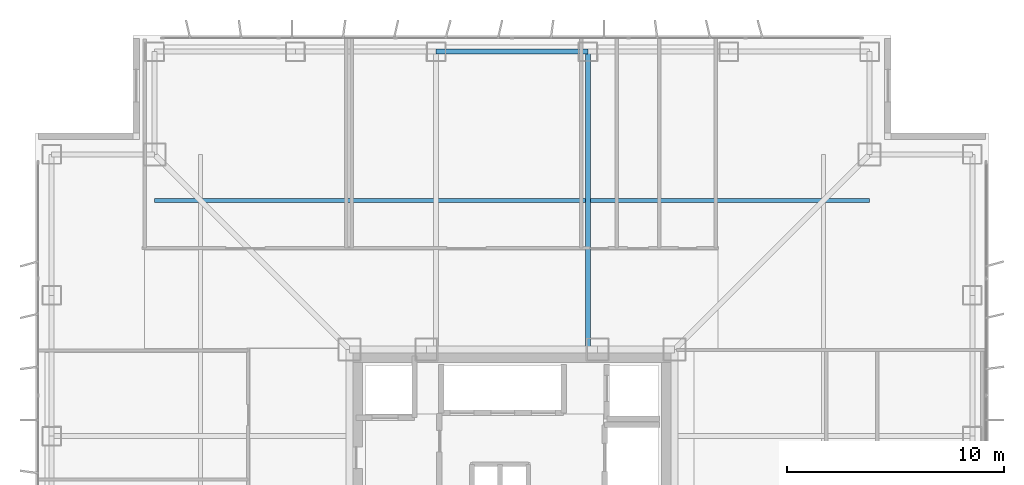
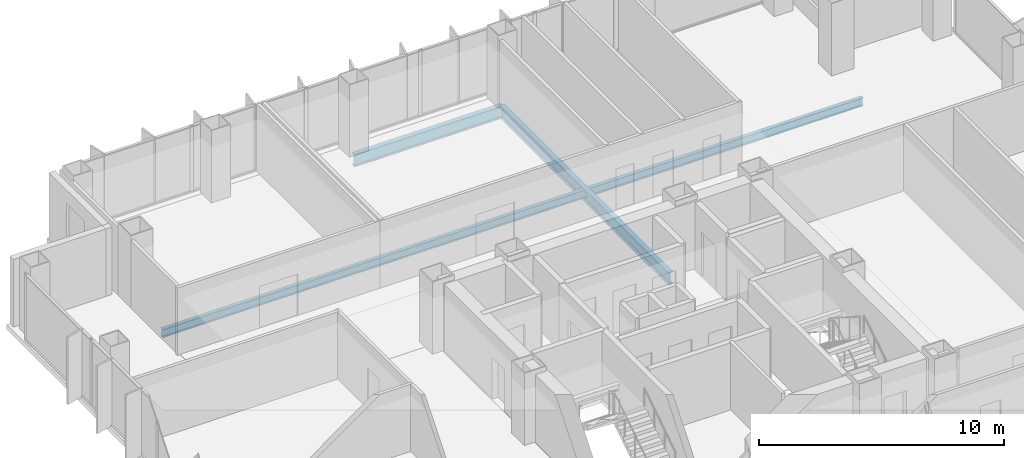
# One storey, part 10 of 17: 3 beams.
"""IFC4 building model written with IfcOpenShell, lengths in metres."""

from ifc_helpers import new_model, si_unit, direction, frame, origin, origin_2d, place, context, subcontext, project, spatial, i_section, extrude, material, material_profile, profile_set, type_object, element, save


model = new_model("IFC4")

# Units and contexts
model_context = context("Model", 3, precision=1e-05, world=origin(), true_north=direction((0.0, 1.0)))
body_context = subcontext(model_context, "Body", "Model", "MODEL_VIEW")
ifc_project = project(units=[si_unit("LENGTHUNIT", "METRE"), si_unit("AREAUNIT", "SQUARE_METRE"), si_unit("VOLUMEUNIT", "CUBIC_METRE"), si_unit("PLANEANGLEUNIT", "RADIAN"), si_unit("MASSUNIT", "GRAM", prefix="KILO")], contexts=[model_context])

# Site, building, storey
site_placement = place(None, origin())
site = spatial("IfcSite", under=ifc_project, at=site_placement, CompositionType="ELEMENT")
building_placement = place(site_placement, origin())
building = spatial("IfcBuilding", under=site, at=building_placement, Name="Trevonay Congress Spire", CompositionType="ELEMENT")
storey_placement = place(building_placement, frame((0.0, 0.0, 126.39990234375)))
storey = spatial("IfcBuildingStorey", under=building, at=storey_placement, Name="L32", CompositionType="ELEMENT", Elevation=126.39990234375)

# Beams
ifc_material = material(Name="Steel ASTM A572 Grade 50", Category="steel")
ifc_material_profile_1 = material_profile(ifc_material, i_section(OverallWidth=0.22998046875, OverallDepth=0.616943359375, WebThickness=0.01318359375, FlangeThickness=0.022216796875, FilletRadius=0.01611328125, at=origin_2d()), Name="W610x140")
ifc_profile_set_1 = profile_set([ifc_material_profile_1], Name="Steel ASTM A572 Grade 50")
beam_type_1 = type_object("IfcBeamType", Name="BM-GIRD-W610X140", PredefinedType="BEAM", material=ifc_profile_set_1)
beam_1_placement = place(storey_placement, frame((3.5, 7.5, -0.54833984375), z_axis=(0.0, 1.0, 0.0), x_axis=(-1.0, 0.0, 0.0)))
element("IfcBeam", 1, at=beam_1_placement, inside=storey, type_object=beam_type_1, Name="L32 structural beam BM-L32-GN-P", PredefinedType="BEAM", context=body_context, shape_type="SweptSolid", body=[
    extrude(i_section(OverallWidth=0.22998046875, OverallDepth=0.616943359375, WebThickness=0.01318359375, FlangeThickness=0.022216796875, FilletRadius=0.01611328125, at=origin_2d()), origin(), (0.0, 0.0, 1.0), 13.75),
])
ifc_material_profile_2 = material_profile(ifc_material, i_section(OverallWidth=0.22802734375, OverallDepth=0.60791015625, WebThickness=0.01123046875, FlangeThickness=0.017333984375, FilletRadius=0.01611328125, at=origin_2d()), Name="W610x113")
ifc_profile_set_2 = profile_set([ifc_material_profile_2], Name="Steel ASTM A572 Grade 50")
beam_type_2 = type_object("IfcBeamType", Name="BM-RING-W610X113", PredefinedType="BEAM", material=ifc_profile_set_2)
beam_2_placement = place(storey_placement, frame((-3.5, 21.25, -0.5439453125), z_axis=(1.0, 0.0, 0.0), x_axis=(0.0, 1.0, 0.0)))
element("IfcBeam", 2, at=beam_2_placement, inside=storey, type_object=beam_type_2, Name="L32 structural beam BM-L32-PN3", PredefinedType="BEAM", context=body_context, shape_type="SweptSolid", body=[
    extrude(i_section(OverallWidth=0.22802734375, OverallDepth=0.60791015625, WebThickness=0.01123046875, FlangeThickness=0.017333984375, FilletRadius=0.01611328125, at=origin_2d()), origin(), (0.0, 0.0, 1.0), 7.0),
])
ifc_material_profile_3 = material_profile(ifc_material, i_section(OverallWidth=0.177978515625, OverallDepth=0.406982421875, WebThickness=0.0078125, FlangeThickness=0.0126953125, FilletRadius=0.012939453125, at=origin_2d()), Name="W410x60")
ifc_profile_set_3 = profile_set([ifc_material_profile_3], Name="Steel ASTM A572 Grade 50")
beam_type_3 = type_object("IfcBeamType", Name="JS-COMP-W410X60", PredefinedType="JOIST", material=ifc_profile_set_3)
beam_3_placement = place(storey_placement, frame((-16.5, 14.375, -0.443359375), z_axis=(1.0, 0.0, 0.0), x_axis=(0.0, 1.0, 0.0)))
element("IfcBeam", 3, at=beam_3_placement, inside=storey, type_object=beam_type_3, Name="L32 structural beam JS-L32-RING-N", PredefinedType="JOIST", context=body_context, shape_type="SweptSolid", body=[
    extrude(i_section(OverallWidth=0.177978515625, OverallDepth=0.406982421875, WebThickness=0.0078125, FlangeThickness=0.0126953125, FilletRadius=0.012939453125, at=origin_2d()), origin(), (0.0, 0.0, 1.0), 33.0),
])

save(model, "model.ifc")
